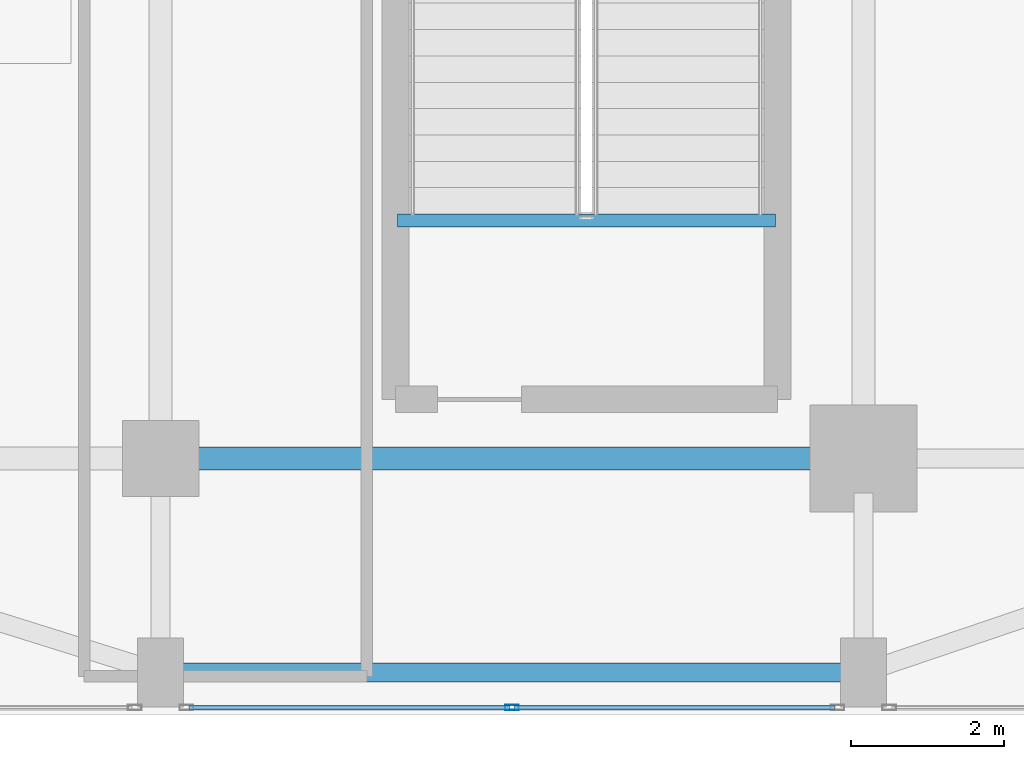
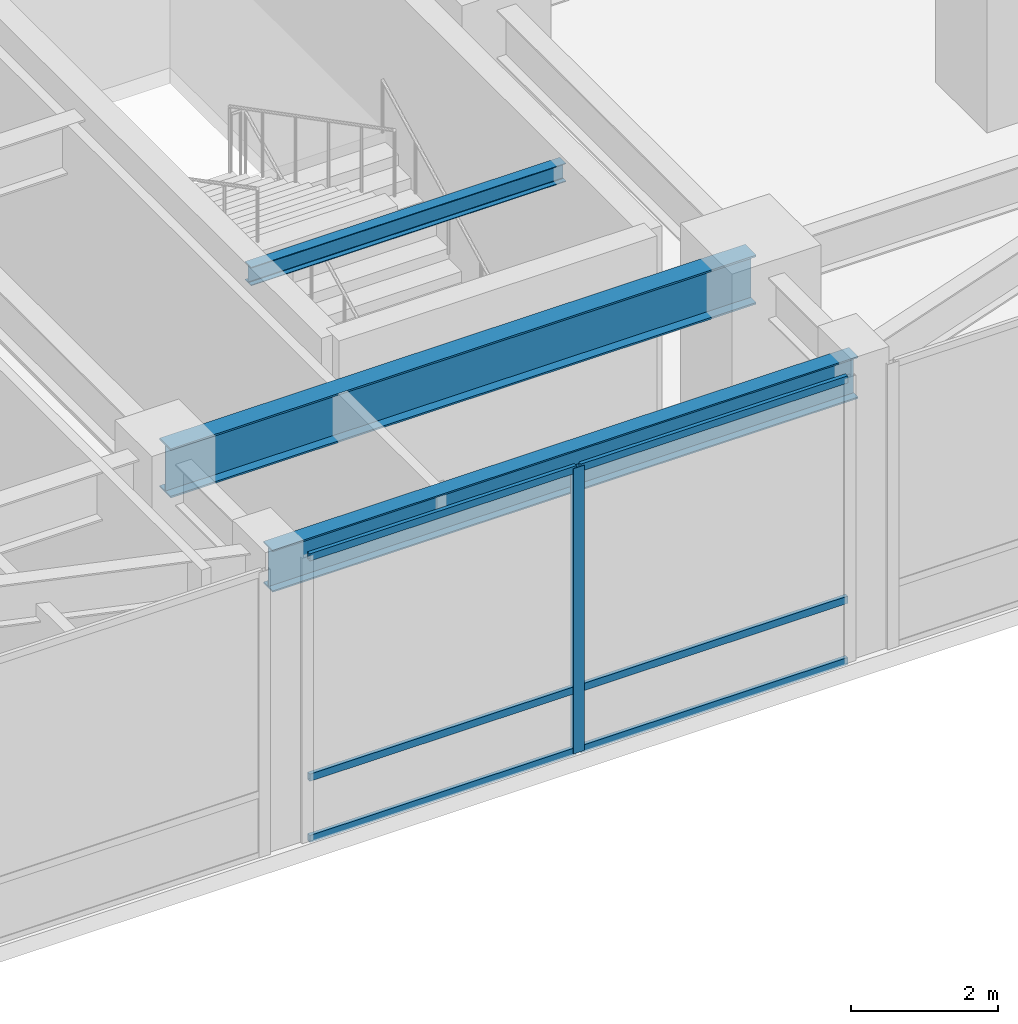
# One storey, part 18 of 39: 7 members, 3 beams, 1 element without a shape of its own.
"""IFC4 building model written with IfcOpenShell, lengths in metres."""

from ifc_helpers import new_model, si_unit, direction, frame, origin, origin_2d, place, context, subcontext, project, spatial, hollow_rectangle, i_section, extrude, source, transform, mapped, material, layer, layer_set, material_profile, profile_set, type_object, type_shapes, element, aggregate, save


model = new_model("IFC4")

# Units and contexts
model_context = context("Model", 3, precision=1e-05, world=origin(), true_north=direction((0.0, 1.0)))
body_context = subcontext(model_context, "Body", "Model", "MODEL_VIEW")
ifc_project = project(units=[si_unit("LENGTHUNIT", "METRE"), si_unit("AREAUNIT", "SQUARE_METRE"), si_unit("VOLUMEUNIT", "CUBIC_METRE"), si_unit("PLANEANGLEUNIT", "RADIAN"), si_unit("MASSUNIT", "GRAM", prefix="KILO")], contexts=[model_context])

# Site, building, storey
site_placement = place(None, origin())
site = spatial("IfcSite", under=ifc_project, at=site_placement, CompositionType="ELEMENT")
building_placement = place(site_placement, origin())
building = spatial("IfcBuilding", under=site, at=building_placement, Name="Tolvann Quenvar Hotel", CompositionType="ELEMENT")
storey_placement = place(building_placement, frame((0.0, 0.0, 11.0)))
storey = spatial("IfcBuildingStorey", under=building, at=storey_placement, Name="L02", CompositionType="ELEMENT", Elevation=11.0)

# Beams
ifc_material_1 = material(Name="Steel Grade 350", Category="steel")
ifc_material_profile_1 = material_profile(ifc_material_1, i_section(OverallWidth=0.300048828125, OverallDepth=0.81591796875, WebThickness=0.010009765625, FlangeThickness=0.028076171875, at=origin_2d()), Name="800WB192")
ifc_profile_set_1 = profile_set([ifc_material_profile_1], Name="Steel Grade 350")
beam_type_1 = type_object("IfcBeamType", Name="BM_GIRD_800WB192", PredefinedType="BEAM", material=ifc_profile_set_1)
shared_shape_1 = source(origin(), body_context, "Body", "SweptSolid", [
    extrude(i_section(OverallWidth=0.300048828125, OverallDepth=0.81591796875, WebThickness=0.010009765625, FlangeThickness=0.028076171875, at=origin_2d()), origin(), (0.0, 0.0, 1.0), 9.199951171875),
])
type_shapes(beam_type_1, [shared_shape_1])
beam_1_placement = place(storey_placement, frame((47.199951171875, 0.85009765625, 4.33203125), z_axis=(1.0, 0.0, 0.0), x_axis=(0.0, 1.0, 0.0)))
element("IfcBeam", 1, at=beam_1_placement, inside=storey, type_object=beam_type_1, Name="BM-L02-GE2-1", PredefinedType="BEAM", context=body_context, shape_type="MappedRepresentation", body=[
    mapped(shared_shape_1, transform((0.0, 0.0, 0.0), x_axis=(1.0, 0.0, 0.0), y_axis=(0.0, 1.0, 0.0), z_axis=(0.0, 0.0, 1.0), scale=1.0)),
])
ifc_material_profile_2 = material_profile(ifc_material_1, i_section(OverallWidth=0.25, OverallDepth=0.699951171875, WebThickness=0.010009765625, FlangeThickness=0.02392578125, at=origin_2d()), Name="700WB150")
ifc_profile_set_2 = profile_set([ifc_material_profile_2], Name="Steel Grade 350")
beam_type_2 = type_object("IfcBeamType", Name="BM_GIRD_700WB150", PredefinedType="BEAM", material=ifc_profile_set_2)
shared_shape_2 = source(origin(), body_context, "Body", "SweptSolid", [
    extrude(i_section(OverallWidth=0.25, OverallDepth=0.699951171875, WebThickness=0.010009765625, FlangeThickness=0.02392578125, at=origin_2d()), origin(), (0.0, 0.0, 1.0), 9.199951171875),
])
type_shapes(beam_type_2, [shared_shape_2])
beam_2_placement = place(storey_placement, frame((47.199951171875, -1.949951171875, 4.389892578125), z_axis=(1.0, 0.0, 0.0), x_axis=(0.0, 1.0, 0.0)))
element("IfcBeam", 2, at=beam_2_placement, inside=storey, type_object=beam_type_2, Name="BM-L02-EWS-E1", PredefinedType="BEAM", context=body_context, shape_type="MappedRepresentation", body=[
    mapped(shared_shape_2, transform((0.0, 0.0, 0.0), x_axis=(1.0, 0.0, 0.0), y_axis=(0.0, 1.0, 0.0), z_axis=(0.0, 0.0, 1.0), scale=1.0)),
])
ifc_material_profile_3 = material_profile(ifc_material_1, i_section(OverallWidth=0.166015625, OverallDepth=0.306884765625, WebThickness=0.006591796875, FlangeThickness=0.01171875, FilletRadius=0.011474609375, at=origin_2d()), Name="310UB46")
ifc_profile_set_3 = profile_set([ifc_material_profile_3], Name="Steel Grade 350")
beam_type_3 = type_object("IfcBeamType", Name="BM_JOIST_310UB46", PredefinedType="JOIST", material=ifc_profile_set_3)
shared_shape_3 = source(origin(), body_context, "Body", "SweptSolid", [
    extrude(i_section(OverallWidth=0.166015625, OverallDepth=0.306884765625, WebThickness=0.006591796875, FlangeThickness=0.01171875, FilletRadius=0.011474609375, at=origin_2d()), origin(), (0.0, 0.0, 1.0), 4.949951171875),
])
type_shapes(beam_type_3, [shared_shape_3])
beam_3_placement = place(storey_placement, frame((50.300048828125, 3.965087890625, 4.58642578125), z_axis=(1.0, 0.0, 0.0), x_axis=(0.0, 1.0, 0.0)))
element("IfcBeam", 3, at=beam_3_placement, inside=storey, type_object=beam_type_3, Name="BM-HDR-ST-P3-L03", PredefinedType="JOIST", context=body_context, shape_type="MappedRepresentation", body=[
    mapped(shared_shape_3, transform((0.0, 0.0, 0.0), x_axis=(1.0, 0.0, 0.0), y_axis=(0.0, 1.0, 0.0), z_axis=(0.0, 0.0, 1.0), scale=1.0)),
])

# Curtain wall, members
ifc_material_2 = material(Name="Thermally broken anodised architectural aluminium 6063-T6 and laminated low-E glass", Category="aluminium")
ifc_layer = layer(ifc_material_2, 0.179931640625)
ifc_layer_set = layer_set([ifc_layer], Name="Thermally broken anodised architectural aluminium 6063-T6 and laminated low-E glass")
curtain_wall_type = type_object("IfcCurtainWallType", Name="CW_SYS_BALL_02", PredefinedType="USERDEFINED", material=ifc_layer_set)
curtain_wall_placement = place(storey_placement, origin())
curtain_wall = element("IfcCurtainWall", 4, at=curtain_wall_placement, inside=storey, type_object=curtain_wall_type, Name="Curtain Wall CW-BALL-02 (CWR-L02-E04-S2)", ObjectType="UNITISED CURTAIN WALL", PredefinedType="USERDEFINED")
ifc_material_3 = material(Name="Anodised architectural aluminium 6063-T6 framing", Category="aluminium")
ifc_material_profile_4 = material_profile(ifc_material_3, hollow_rectangle(XDim=0.070068359375, YDim=0.179931640625, WallThickness=0.00390625, at=origin_2d()), Name="180x70x4RHS")
ifc_profile_set_4 = profile_set([ifc_material_profile_4], Name="Anodised architectural aluminium 6063-T6 framing")
member_type_1 = type_object("IfcMemberType", Name="CW_MULL_180x70", PredefinedType="MULLION", material=ifc_profile_set_4)
shared_shape_4 = source(origin(), body_context, "Body", "SweptSolid", [
    extrude(hollow_rectangle(XDim=0.070068359375, YDim=0.179931640625, WallThickness=0.00390625, at=origin_2d()), origin(), (0.0, 0.0, 1.0), 4.739990234375),
])
type_shapes(member_type_1, [shared_shape_4])
member_1_placement = place(storey_placement, frame((51.800048828125, -2.409912109375, 0.0), z_axis=(0.0, 0.0, 1.0), x_axis=(0.0, 1.0, 0.0)))
member_1 = element("IfcMember", 5, at=member_1_placement, type_object=member_type_1, Name="CW-BALL-02 mullion 2", PredefinedType="MULLION", context=body_context, shape_type="MappedRepresentation", body=[
    mapped(shared_shape_4, transform((0.0, 0.0, 0.0), x_axis=(1.0, 0.0, 0.0), y_axis=(0.0, 1.0, 0.0), z_axis=(0.0, 0.0, 1.0), scale=1.0)),
])
ifc_material_profile_5 = material_profile(ifc_material_3, hollow_rectangle(XDim=0.06005859375, YDim=0.1201171875, WallThickness=0.00341796875, at=origin_2d()), Name="120x60x3.5RHS")
ifc_profile_set_5 = profile_set([ifc_material_profile_5], Name="Anodised architectural aluminium 6063-T6 framing")
member_type_2 = type_object("IfcMemberType", Name="CW_TRAN_120x60", PredefinedType="USERDEFINED", material=ifc_profile_set_5)
shared_shape_5 = source(origin(), body_context, "Body", "SweptSolid", [
    extrude(hollow_rectangle(XDim=0.06005859375, YDim=0.1201171875, WallThickness=0.00341796875, at=origin_2d()), origin(), (0.0, 0.0, 1.0), 4.19091796875),
])
type_shapes(member_type_2, [shared_shape_5])
member_2_placement = place(storey_placement, frame((47.573974609375, -2.409912109375, 0.030029296875), z_axis=(1.0, 0.0, 0.0), x_axis=(0.0, 1.0, 0.0)))
member_2 = element("IfcMember", 6, at=member_2_placement, type_object=member_type_2, Name="CW-BALL-02 transom 1.1", ObjectType="TRANSOM", PredefinedType="USERDEFINED", context=body_context, shape_type="MappedRepresentation", body=[
    mapped(shared_shape_5, transform((0.0, 0.0, 0.0), x_axis=(1.0, 0.0, 0.0), y_axis=(0.0, 1.0, 0.0), z_axis=(0.0, 0.0, 1.0), scale=1.0)),
])
member_3_placement = place(storey_placement, frame((47.573974609375, -2.409912109375, 1.050048828125), z_axis=(1.0, 0.0, 0.0), x_axis=(0.0, 1.0, 0.0)))
member_3 = element("IfcMember", 7, at=member_3_placement, type_object=member_type_2, Name="CW-BALL-02 transom 1.2", ObjectType="TRANSOM", PredefinedType="USERDEFINED", context=body_context, shape_type="MappedRepresentation", body=[
    mapped(shared_shape_5, transform((0.0, 0.0, 0.0), x_axis=(1.0, 0.0, 0.0), y_axis=(0.0, 1.0, 0.0), z_axis=(0.0, 0.0, 1.0), scale=1.0)),
])
member_4_placement = place(storey_placement, frame((47.573974609375, -2.409912109375, 4.7099609375), z_axis=(1.0, 0.0, 0.0), x_axis=(0.0, 1.0, 0.0)))
member_4 = element("IfcMember", 8, at=member_4_placement, type_object=member_type_2, Name="CW-BALL-02 transom 1.3", ObjectType="TRANSOM", PredefinedType="USERDEFINED", context=body_context, shape_type="MappedRepresentation", body=[
    mapped(shared_shape_5, transform((0.0, 0.0, 0.0), x_axis=(1.0, 0.0, 0.0), y_axis=(0.0, 1.0, 0.0), z_axis=(0.0, 0.0, 1.0), scale=1.0)),
])
member_5_placement = place(storey_placement, frame((51.8349609375, -2.409912109375, 0.030029296875), z_axis=(1.0, 0.0, 0.0), x_axis=(0.0, 1.0, 0.0)))
member_5 = element("IfcMember", 9, at=member_5_placement, type_object=member_type_2, Name="CW-BALL-02 transom 2.1", ObjectType="TRANSOM", PredefinedType="USERDEFINED", context=body_context, shape_type="MappedRepresentation", body=[
    mapped(shared_shape_5, transform((0.0, 0.0, 0.0), x_axis=(1.0, 0.0, 0.0), y_axis=(0.0, 1.0, 0.0), z_axis=(0.0, 0.0, 1.0), scale=1.0)),
])
member_6_placement = place(storey_placement, frame((51.8349609375, -2.409912109375, 1.050048828125), z_axis=(1.0, 0.0, 0.0), x_axis=(0.0, 1.0, 0.0)))
member_6 = element("IfcMember", 10, at=member_6_placement, type_object=member_type_2, Name="CW-BALL-02 transom 2.2", ObjectType="TRANSOM", PredefinedType="USERDEFINED", context=body_context, shape_type="MappedRepresentation", body=[
    mapped(shared_shape_5, transform((0.0, 0.0, 0.0), x_axis=(1.0, 0.0, 0.0), y_axis=(0.0, 1.0, 0.0), z_axis=(0.0, 0.0, 1.0), scale=1.0)),
])
member_7_placement = place(storey_placement, frame((51.8349609375, -2.409912109375, 4.7099609375), z_axis=(1.0, 0.0, 0.0), x_axis=(0.0, 1.0, 0.0)))
member_7 = element("IfcMember", 11, at=member_7_placement, type_object=member_type_2, Name="CW-BALL-02 transom 2.3", ObjectType="TRANSOM", PredefinedType="USERDEFINED", context=body_context, shape_type="MappedRepresentation", body=[
    mapped(shared_shape_5, transform((0.0, 0.0, 0.0), x_axis=(1.0, 0.0, 0.0), y_axis=(0.0, 1.0, 0.0), z_axis=(0.0, 0.0, 1.0), scale=1.0)),
])
aggregate(curtain_wall, [member_1, member_2, member_3, member_4, member_5, member_6, member_7])

save(model, "model.ifc")
